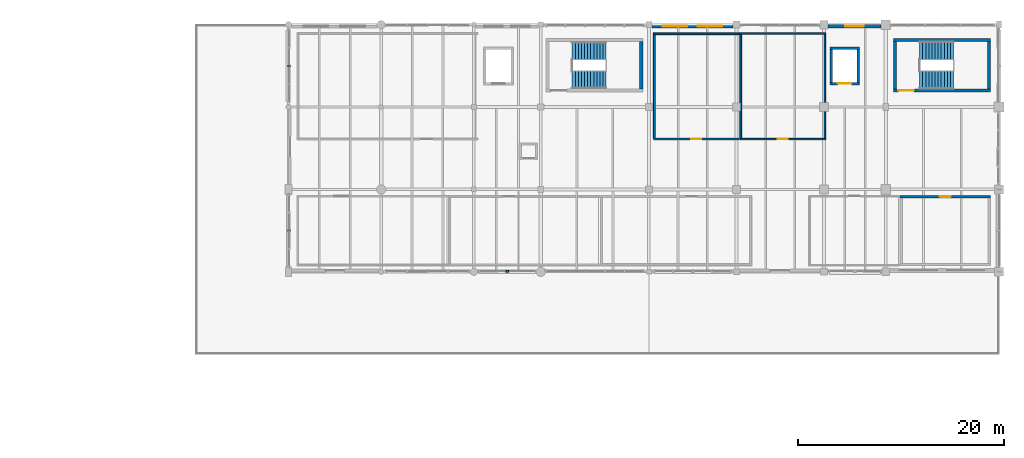
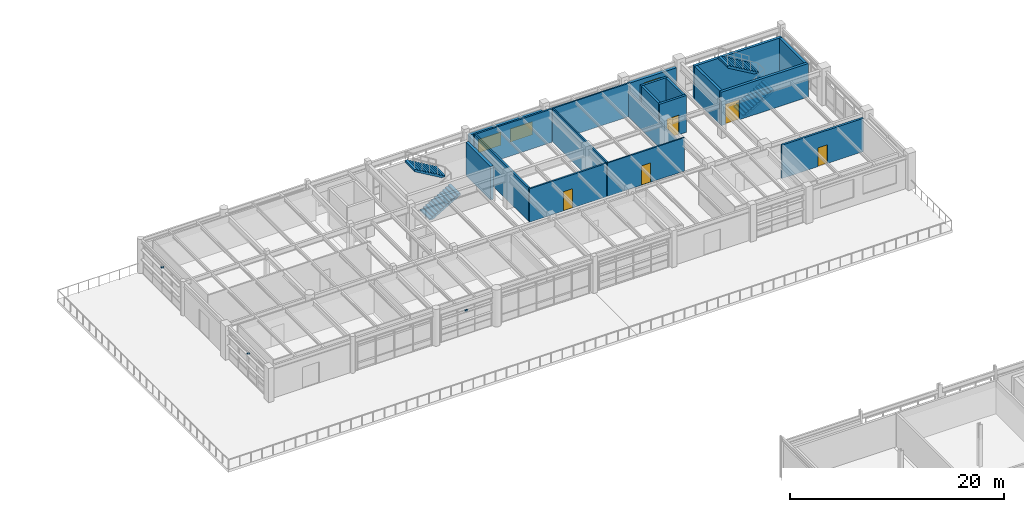
# One storey, part 51 of 56: 19 walls, 5 doors, 4 stair flights, 3 discrete accessories, 3 windows, 8 openings, 2 elements without a shape of their own.
"""IFC4 building model written with IfcOpenShell, lengths in metres."""

from ifc_helpers import new_model, si_unit, direction, frame, frame_2d, origin, origin_2d, place, context, subcontext, project, spatial, polyline, rectangle, outline, extrude, material, layer, layer_set, type_object, element, fill, aggregate, save


model = new_model("IFC4")

# Units and contexts
model_context = context("Model", 3, precision=1e-05, world=origin(), true_north=direction((0.0, 1.0)))
body_context = subcontext(model_context, "Body", "Model", "MODEL_VIEW")
ifc_project = project(units=[si_unit("LENGTHUNIT", "METRE"), si_unit("AREAUNIT", "SQUARE_METRE"), si_unit("VOLUMEUNIT", "CUBIC_METRE"), si_unit("PLANEANGLEUNIT", "RADIAN"), si_unit("MASSUNIT", "GRAM", prefix="KILO"), si_unit("THERMODYNAMICTEMPERATUREUNIT", "KELVIN"), si_unit("POWERUNIT", "WATT")], contexts=[model_context])

# Site, building, storey
site_placement = place(None, origin())
site = spatial("IfcSite", under=ifc_project, at=site_placement, CompositionType="ELEMENT")
building_placement = place(site_placement, origin())
building = spatial("IfcBuilding", under=site, at=building_placement, Name="Tepalcoro Natatorium and Aquatics Centre", CompositionType="ELEMENT")
storey_placement = place(building_placement, frame((0.0, 0.0, 14.800048828125)))
storey = spatial("IfcBuildingStorey", under=building, at=storey_placement, Name="L03", CompositionType="ELEMENT", Elevation=14.800048828125)

# Wall, openings, windows
ifc_material_1 = material(Name="Jalisco Cantera Rosa Volcanic Tuff Ashlar Masonry", Category="masonry")
ifc_layer_1 = layer(ifc_material_1, 0.304931640625)
ifc_layer_set_1 = layer_set([ifc_layer_1], Name="Jalisco Cantera Rosa Volcanic Tuff Ashlar Masonry")
wall_type_1 = type_object("IfcWallType", Name="WL_EXT_TERRACOTTA_300", PredefinedType="SOLIDWALL", material=ifc_layer_set_1)
wall_1_placement = place(storey_placement, frame((142.303955078125, 117.847412109375, 0.0), z_axis=(0.0, 0.0, 1.0), x_axis=(1.0, 0.0, 0.0)))
wall_1 = element("IfcWall", 1, at=wall_1_placement, inside=storey, type_object=wall_type_1, Name="V5 L03 N Volcanic Basalt Envelope Wall", PredefinedType="SOLIDWALL", context=body_context, shape_type="SweptSolid", body=[
    extrude(rectangle(XDim=7.842041015625, YDim=0.304931640625, at=frame_2d((3.9208984375, 0.0))), origin(), (0.0, 0.0, 1.0), 3.376953125),
])
opening_1_placement = place(wall_1_placement, frame((1.013916015625, 0.0, 0.949951171875)))
opening_1 = element("IfcOpeningElement", 2, at=opening_1_placement, cuts=wall_1, Name="Opening W0109A", PredefinedType="OPENING", context=body_context, shape_type="SweptSolid", body=[
    extrude(rectangle(XDim=2.39990234375, YDim=1.5, at=frame_2d((1.199951171875, 0.75))), frame((0.0, 0.16455078125, 0.0), z_axis=(0.0, -1.0, 0.0), x_axis=(1.0, 0.0, 0.0)), (0.0, 0.0, 1.0), 0.328857421875),
])
opening_2_placement = place(wall_1_placement, frame((4.427978515625, 0.0, 0.949951171875)))
opening_2 = element("IfcOpeningElement", 3, at=opening_2_placement, cuts=wall_1, Name="Opening W0109B", PredefinedType="OPENING", context=body_context, shape_type="SweptSolid", body=[
    extrude(rectangle(XDim=2.39990234375, YDim=1.5, at=frame_2d((1.199951171875, 0.75))), frame((0.0, 0.16455078125, 0.0), z_axis=(0.0, -1.0, 0.0), x_axis=(1.0, 0.0, 0.0)), (0.0, 0.0, 1.0), 0.328857421875),
])
ifc_material_2 = material(Name="Solar-Control Bronze Tempered Low-E Double Glazing", Category="glass")
window_type_1 = type_object("IfcWindowType", Name="WN_240x150", PartitioningType="SINGLE_PANEL", PredefinedType="WINDOW", material=ifc_material_2)
window_1_placement = place(opening_1_placement, origin())
window_1 = element("IfcWindow", 4, at=window_1_placement, inside=storey, type_object=window_type_1, Name="Exterior Thermal Window WN_240x150", OverallHeight=1.5, OverallWidth=2.39990234375, PartitioningType="SINGLE_PANEL", PredefinedType="WINDOW", context=body_context, shape_type="SweptSolid", body=[
    extrude(rectangle(XDim=2.39990234375, YDim=1.5, at=frame_2d((1.199951171875, 0.75))), frame((0.0, 0.030029296875, 0.0), z_axis=(0.0, -1.0, 0.0), x_axis=(1.0, 0.0, 0.0)), (0.0, 0.0, 1.0), 0.06005859375),
])
fill(opening_1, window_1)
window_2_placement = place(opening_2_placement, origin())
window_2 = element("IfcWindow", 5, at=window_2_placement, inside=storey, type_object=window_type_1, Name="Exterior Thermal Window WN_240x150", OverallHeight=1.5, OverallWidth=2.39990234375, PartitioningType="SINGLE_PANEL", PredefinedType="WINDOW", context=body_context, shape_type="SweptSolid", body=[
    extrude(rectangle(XDim=2.39990234375, YDim=1.5, at=frame_2d((1.199951171875, 0.75))), frame((0.0, 0.030029296875, 0.0), z_axis=(0.0, -1.0, 0.0), x_axis=(1.0, 0.0, 0.0)), (0.0, 0.0, 1.0), 0.06005859375),
])
fill(opening_2, window_2)

# Wall, opening, window
wall_2_placement = place(storey_placement, frame((159.404052734375, 117.847412109375, 0.0), z_axis=(0.0, 0.0, 1.0), x_axis=(1.0, 0.0, 0.0)))
wall_2 = element("IfcWall", 6, at=wall_2_placement, inside=storey, type_object=wall_type_1, Name="V5 L03 N Volcanic Basalt Envelope Wall", PredefinedType="SOLIDWALL", context=body_context, shape_type="SweptSolid", body=[
    extrude(rectangle(XDim=5.141845703125, YDim=0.304931640625, at=frame_2d((2.57080078125, 0.0))), origin(), (0.0, 0.0, 1.0), 3.25390625),
])
opening_3_placement = place(wall_2_placement, frame((1.6708984375, 0.0, 0.949951171875)))
opening_3 = element("IfcOpeningElement", 7, at=opening_3_placement, cuts=wall_2, Name="Opening W0110", PredefinedType="OPENING", context=body_context, shape_type="SweptSolid", body=[
    extrude(rectangle(XDim=1.800048828125, YDim=1.800048828125, at=frame_2d((0.89990234375, 0.89990234375))), frame((0.0, 0.16455078125, 0.0), z_axis=(0.0, -1.0, 0.0), x_axis=(1.0, 0.0, 0.0)), (0.0, 0.0, 1.0), 0.328857421875),
])
window_type_2 = type_object("IfcWindowType", Name="WN_180x180", PartitioningType="SINGLE_PANEL", PredefinedType="WINDOW", material=ifc_material_2)
window_3_placement = place(opening_3_placement, origin())
window_3 = element("IfcWindow", 8, at=window_3_placement, inside=storey, type_object=window_type_2, Name="Exterior Thermal Window WN_180x180", OverallHeight=1.800048828125, OverallWidth=1.800048828125, PartitioningType="SINGLE_PANEL", PredefinedType="WINDOW", context=body_context, shape_type="SweptSolid", body=[
    extrude(rectangle(XDim=1.800048828125, YDim=1.800048828125, at=frame_2d((0.89990234375, 0.89990234375))), frame((0.0, 0.030029296875, 0.0), z_axis=(0.0, -1.0, 0.0), x_axis=(1.0, 0.0, 0.0)), (0.0, 0.0, 1.0), 0.06005859375),
])
fill(opening_3, window_3)

# Wall, opening, door
ifc_material_3 = material(Name="Moisture-Resistant Acoustic Gypsum Drywall on Cold-Formed Metal Studs")
ifc_layer_2 = layer(ifc_material_3, 0.14990234375)
ifc_layer_set_2 = layer_set([ifc_layer_2], Name="Moisture-Resistant Acoustic Gypsum Drywall on Cold-Formed Metal Studs")
wall_type_2 = type_object("IfcWallType", Name="WL_PART_150_AC", PredefinedType="PARTITIONING", material=ifc_layer_set_2)
wall_3_placement = place(storey_placement, frame((150.840087890625, 106.875, 0.0), z_axis=(0.0, 0.0, 1.0), x_axis=(1.0, 0.0, 0.0)))
wall_3 = element("IfcWall", 9, at=wall_3_placement, inside=storey, type_object=wall_type_2, Name="Calibration & Biomedical Instrument Store Partition S", PredefinedType="PARTITIONING", context=body_context, shape_type="SweptSolid", body=[
    extrude(rectangle(XDim=8.31982421875, YDim=0.14990234375, at=frame_2d((4.159912109375, 0.0))), origin(), (0.0, 0.0, 1.0), 3.804931640625),
])
opening_4_placement = place(wall_3_placement, frame((3.659912109375, 0.0, 0.0)))
opening_4 = element("IfcOpeningElement", 10, at=opening_4_placement, cuts=wall_3, Name="Opening D0189", PredefinedType="OPENING", context=body_context, shape_type="SweptSolid", body=[
    extrude(rectangle(XDim=1.0, YDim=2.199951171875, at=frame_2d((0.5, 1.10009765625))), frame((0.0, 0.0869140625, 0.0), z_axis=(0.0, -1.0, 0.0), x_axis=(1.0, 0.0, 0.0)), (0.0, 0.0, 1.0), 0.173828125),
])
ifc_material_4 = material(Name="Galvanised Steel Insulated Acoustic Fire Door Assembly", Category="steel")
door_type_1 = type_object("IfcDoorType", Name="DR_100x220_FD60", OperationType="NOTDEFINED", PredefinedType="DOOR", material=ifc_material_4)
door_1_placement = place(opening_4_placement, origin())
door_1 = element("IfcDoor", 11, at=door_1_placement, inside=storey, type_object=door_type_1, Name="Calibration & Biomedical Instrument Store Door", OperationType="SINGLE_SWING_RIGHT", OverallHeight=2.199951171875, OverallWidth=1.0, PredefinedType="DOOR", context=body_context, shape_type="SweptSolid", body=[
    extrude(rectangle(XDim=1.0, YDim=2.199951171875, at=frame_2d((0.5, 1.10009765625))), frame((0.0, 0.02490234375, 0.0), z_axis=(0.0, -1.0, 0.0), x_axis=(1.0, 0.0, 0.0)), (0.0, 0.0, 1.0), 0.050048828125),
])
fill(opening_4, door_1)

# Walls
wall_4_placement = place(storey_placement, frame((150.840087890625, 117.125, 0.0), z_axis=(0.0, 0.0, 1.0), x_axis=(1.0, 0.0, 0.0)))
element("IfcWall", 12, at=wall_4_placement, inside=storey, type_object=wall_type_2, Name="Calibration & Biomedical Instrument Store Partition N", PredefinedType="PARTITIONING", context=body_context, shape_type="SweptSolid", body=[
    extrude(rectangle(XDim=8.31982421875, YDim=0.14990234375, at=frame_2d((4.159912109375, 0.0))), origin(), (0.0, 0.0, 1.0), 3.804931640625),
])
wall_5_placement = place(storey_placement, frame((159.0849609375, 106.949951171875, 0.0), z_axis=(0.0, 0.0, 1.0), x_axis=(0.0, 1.0, 0.0)))
element("IfcWall", 13, at=wall_5_placement, inside=storey, type_object=wall_type_2, Name="Calibration & Biomedical Instrument Store Partition E", PredefinedType="PARTITIONING", context=body_context, shape_type="SweptSolid", body=[
    extrude(rectangle(XDim=10.10009765625, YDim=0.14990234375, at=frame_2d((5.050048828125, 0.0))), origin(), (0.0, 0.0, 1.0), 2.870849609375),
])
wall_6_placement = place(storey_placement, frame((150.9150390625, 106.949951171875, 0.0), z_axis=(0.0, 0.0, 1.0), x_axis=(0.0, 1.0, 0.0)))
element("IfcWall", 14, at=wall_6_placement, inside=storey, type_object=wall_type_2, Name="Calibration & Biomedical Instrument Store Partition W", PredefinedType="PARTITIONING", context=body_context, shape_type="SweptSolid", body=[
    extrude(rectangle(XDim=10.10009765625, YDim=0.14990234375, at=frame_2d((5.050048828125, 0.0))), origin(), (0.0, 0.0, 1.0), 3.804931640625),
])

# Wall, opening, door
ifc_layer_3 = layer(ifc_material_3, 0.179931640625)
ifc_layer_set_3 = layer_set([ifc_layer_3], Name="Moisture-Resistant Acoustic Gypsum Drywall on Cold-Formed Metal Studs")
wall_type_3 = type_object("IfcWallType", Name="WL_PART_180_AC", PredefinedType="PARTITIONING", material=ifc_layer_set_3)
wall_7_placement = place(storey_placement, frame((142.43994140625, 106.889892578125, 0.0), z_axis=(0.0, 0.0, 1.0), x_axis=(1.0, 0.0, 0.0)))
wall_7 = element("IfcWall", 15, at=wall_7_placement, inside=storey, type_object=wall_type_3, Name="Research Fellows Workspace & Data Seminar Room Partition S", PredefinedType="PARTITIONING", context=body_context, shape_type="SweptSolid", body=[
    extrude(rectangle(XDim=8.320068359375, YDim=0.179931640625, at=frame_2d((4.16015625, 0.0))), origin(), (0.0, 0.0, 1.0), 3.804931640625),
])
opening_5_placement = place(wall_7_placement, frame((3.659912109375, 0.0, 0.0)))
opening_5 = element("IfcOpeningElement", 16, at=opening_5_placement, cuts=wall_7, Name="Opening D0188", PredefinedType="OPENING", context=body_context, shape_type="SweptSolid", body=[
    extrude(rectangle(XDim=1.0, YDim=2.199951171875, at=frame_2d((0.5, 1.10009765625))), frame((0.0, 0.10205078125, 0.0), z_axis=(0.0, -1.0, 0.0), x_axis=(1.0, 0.0, 0.0)), (0.0, 0.0, 1.0), 0.203857421875),
])
door_2_placement = place(opening_5_placement, origin())
door_2 = element("IfcDoor", 17, at=door_2_placement, inside=storey, type_object=door_type_1, Name="Research Fellows Workspace & Data Seminar Room Door", OperationType="SINGLE_SWING_LEFT", OverallHeight=2.199951171875, OverallWidth=1.0, PredefinedType="DOOR", context=body_context, shape_type="SweptSolid", body=[
    extrude(rectangle(XDim=1.0, YDim=2.199951171875, at=frame_2d((0.5, 1.10009765625))), frame((0.0, 0.02490234375, 0.0), z_axis=(0.0, -1.0, 0.0), x_axis=(1.0, 0.0, 0.0)), (0.0, 0.0, 1.0), 0.050048828125),
])
fill(opening_5, door_2)

# Walls
wall_8_placement = place(storey_placement, frame((142.43994140625, 117.110107421875, 0.0), z_axis=(0.0, 0.0, 1.0), x_axis=(1.0, 0.0, 0.0)))
element("IfcWall", 18, at=wall_8_placement, inside=storey, type_object=wall_type_3, Name="Research Fellows Workspace & Data Seminar Room Partition N", PredefinedType="PARTITIONING", context=body_context, shape_type="SweptSolid", body=[
    extrude(rectangle(XDim=8.320068359375, YDim=0.179931640625, at=frame_2d((4.16015625, 0.0))), origin(), (0.0, 0.0, 1.0), 3.804931640625),
])
wall_9_placement = place(storey_placement, frame((142.530029296875, 106.97998046875, 0.0), z_axis=(0.0, 0.0, 1.0), x_axis=(0.0, 1.0, 0.0)))
element("IfcWall", 19, at=wall_9_placement, inside=storey, type_object=wall_type_3, Name="Research Fellows Workspace & Data Seminar Room Partition W", PredefinedType="PARTITIONING", context=body_context, shape_type="SweptSolid", body=[
    extrude(rectangle(XDim=10.0400390625, YDim=0.179931640625, at=frame_2d((5.02001953125, 0.0))), origin(), (0.0, 0.0, 1.0), 3.804931640625),
])

# Wall, opening, door
ifc_material_5 = material(Name="Ceramic-Tiled Moisture-Resistant Masonry Blockwork", Category="masonry")
ifc_layer_4 = layer(ifc_material_5, 0.219970703125)
ifc_layer_set_4 = layer_set([ifc_layer_4], Name="Ceramic-Tiled Moisture-Resistant Masonry Blockwork")
wall_type_4 = type_object("IfcWallType", Name="WL_PLUMB_220", PredefinedType="PLUMBINGWALL", material=ifc_layer_set_4)
wall_10_placement = place(storey_placement, frame((166.389892578125, 101.2900390625, 0.0), z_axis=(0.0, 0.0, 1.0), x_axis=(1.0, 0.0, 0.0)))
wall_10 = element("IfcWall", 20, at=wall_10_placement, inside=storey, type_object=wall_type_4, Name="L03 Sports Science Male/Female & Accessible WC Partition N", PredefinedType="PLUMBINGWALL", context=body_context, shape_type="SweptSolid", body=[
    extrude(rectangle(XDim=8.77001953125, YDim=0.219970703125, at=frame_2d((4.385009765625, 0.0))), origin(), (0.0, 0.0, 1.0), 3.804931640625),
])
opening_6_placement = place(wall_10_placement, frame((3.860107421875, 0.0, 0.0)))
opening_6 = element("IfcOpeningElement", 21, at=opening_6_placement, cuts=wall_10, Name="Opening D0186", PredefinedType="OPENING", context=body_context, shape_type="SweptSolid", body=[
    extrude(rectangle(XDim=1.050048828125, YDim=2.14990234375, at=frame_2d((0.52490234375, 1.074951171875))), frame((0.0, 0.1220703125, 0.0), z_axis=(0.0, -1.0, 0.0), x_axis=(1.0, 0.0, 0.0)), (0.0, 0.0, 1.0), 0.243896484375),
])
ifc_material_6 = material(Name="Solid-Core Moisture-Sealed Oak Timber Leaf in Aluminium Frame", Category="wood")
door_type_2 = type_object("IfcDoorType", Name="DR_105x215_ACC", OperationType="NOTDEFINED", PredefinedType="DOOR", material=ifc_material_6)
door_3_placement = place(opening_6_placement, frame((1.050048828125, 0.0, 0.0), z_axis=(0.0, 0.0, 1.0), x_axis=(-1.0, 0.0, 0.0)))
door_3 = element("IfcDoor", 22, at=door_3_placement, inside=storey, type_object=door_type_2, Name="L03 Sports Science Male/Female & Accessible WC Door", OperationType="SINGLE_SWING_LEFT", OverallHeight=2.14990234375, OverallWidth=1.050048828125, PredefinedType="DOOR", context=body_context, shape_type="SweptSolid", body=[
    extrude(rectangle(XDim=1.050048828125, YDim=2.14990234375, at=frame_2d((0.52490234375, 1.074951171875))), frame((0.0, 0.02490234375, 0.0), z_axis=(0.0, -1.0, 0.0), x_axis=(1.0, 0.0, 0.0)), (0.0, 0.0, 1.0), 0.050048828125),
])
fill(opening_6, door_3)

ifc_material_7 = material(Name="Concrete C40/50 (fc 40 MPa)", Category="concrete")
ifc_layer_5 = layer(ifc_material_7, 0.239990234375)
ifc_layer_set_5 = layer_set([ifc_layer_5], Name="Concrete C40/50 (fc 40 MPa)")
wall_type_5 = type_object("IfcWallType", Name="WL_SHAFT_240", PredefinedType="SOLIDWALL", material=ifc_layer_set_5)
wall_11_placement = place(storey_placement, frame((159.56005859375, 112.280029296875, 0.0), z_axis=(0.0, 0.0, 1.0), x_axis=(1.0, 0.0, 0.0)))
wall_11 = element("IfcWall", 23, at=wall_11_placement, inside=storey, type_object=wall_type_5, Name="LF06 Lift Shaft Wall S L03", PredefinedType="SOLIDWALL", context=body_context, shape_type="SweptSolid", body=[
    extrude(rectangle(XDim=2.8798828125, YDim=0.239990234375, at=frame_2d((1.43994140625, 0.0))), origin(), (0.0, 0.0, 1.0), 4.199951171875),
])
opening_7_placement = place(wall_11_placement, frame((0.7900390625, 0.0, 0.0)))
opening_7 = element("IfcOpeningElement", 24, at=opening_7_placement, cuts=wall_11, Name="Opening LD-LF06-L03", PredefinedType="OPENING", context=body_context, shape_type="SweptSolid", body=[
    extrude(rectangle(XDim=1.300048828125, YDim=2.25, at=frame_2d((0.64990234375, 1.125))), frame((0.0, 0.1318359375, 0.0), z_axis=(0.0, -1.0, 0.0), x_axis=(1.0, 0.0, 0.0)), (0.0, 0.0, 1.0), 0.263916015625),
])
ifc_material_8 = material(Name="Marine-Grade Brushed Stainless Steel AISI 316L", Category="steel")
door_type_3 = type_object("IfcDoorType", Name="DR_130x225_LIFT", OperationType="NOTDEFINED", PredefinedType="USERDEFINED", material=ifc_material_8)
door_4_placement = place(opening_7_placement, origin())
door_4 = element("IfcDoor", 25, at=door_4_placement, inside=storey, type_object=door_type_3, Name="LF06 Lift Landing Sliding Door (L03)", ObjectType="SLIDING LANDING DOOR", OperationType="SLIDING_TO_RIGHT", OverallHeight=2.25, OverallWidth=1.300048828125, PredefinedType="USERDEFINED", context=body_context, shape_type="SweptSolid", body=[
    extrude(rectangle(XDim=1.300048828125, YDim=2.25, at=frame_2d((0.64990234375, 1.125))), frame((0.0, 0.02490234375, 0.0), z_axis=(0.0, -1.0, 0.0), x_axis=(1.0, 0.0, 0.0)), (0.0, 0.0, 1.0), 0.050048828125),
])
fill(opening_7, door_4)

# Walls
wall_12_placement = place(storey_placement, frame((159.56005859375, 115.719970703125, 0.0), z_axis=(0.0, 0.0, 1.0), x_axis=(1.0, 0.0, 0.0)))
element("IfcWall", 26, at=wall_12_placement, inside=storey, type_object=wall_type_5, Name="LF06 Lift Shaft Wall N L03", PredefinedType="SOLIDWALL", context=body_context, shape_type="SweptSolid", body=[
    extrude(rectangle(XDim=2.8798828125, YDim=0.239990234375, at=frame_2d((1.43994140625, 0.0))), origin(), (0.0, 0.0, 1.0), 4.199951171875),
])
for number, where, z_axis, x_axis, name in (
    (27, (159.679931640625, 112.39990234375, 0.0), (0.0, 0.0, 1.0), (0.0, 1.0, 0.0), "LF06 Lift Shaft Wall W L03"),
    (28, (162.320068359375, 112.39990234375, 0.0), (0.0, 0.0, 1.0), (0.0, 1.0, 0.0), "LF06 Lift Shaft Wall E L03"),
):
    element("IfcWall", number, at=place(storey_placement, frame(where, z_axis=z_axis, x_axis=x_axis)), inside=storey, type_object=wall_type_5, Name=name, PredefinedType="SOLIDWALL", context=body_context, shape_type="SweptSolid", body=[
        extrude(rectangle(XDim=3.2001953125, YDim=0.239990234375, at=frame_2d((1.60009765625, 0.0))), origin(), (0.0, 0.0, 1.0), 4.199951171875),
    ])

# Wall, opening, door
ifc_layer_6 = layer(ifc_material_7, 0.280029296875)
ifc_layer_set_6 = layer_set([ifc_layer_6], Name="Concrete C40/50 (fc 40 MPa)")
wall_type_6 = type_object("IfcWallType", Name="WL_SHEAR_280", PredefinedType="SHEAR", material=ifc_layer_set_6)
wall_13_placement = place(storey_placement, frame((165.75, 111.590087890625, 0.0), z_axis=(0.0, 0.0, 1.0), x_axis=(1.0, 0.0, 0.0)))
wall_13 = element("IfcWall", 29, at=wall_13_placement, inside=storey, type_object=wall_type_6, Name="ST10 Core Shear Wall S L03", PredefinedType="SHEAR", context=body_context, shape_type="SweptSolid", body=[
    extrude(rectangle(XDim=9.39990234375, YDim=0.280029296875, at=frame_2d((4.699951171875, 0.0))), origin(), (0.0, 0.0, 1.0), 3.820068359375),
])
opening_8_placement = place(wall_13_placement, frame((0.47998046875, 0.0, 0.0)))
opening_8 = element("IfcOpeningElement", 30, at=opening_8_placement, cuts=wall_13, Name="Opening D0041", PredefinedType="OPENING", context=body_context, shape_type="SweptSolid", body=[
    extrude(rectangle(XDim=1.5, YDim=2.300048828125, at=frame_2d((0.75, 1.14990234375))), frame((0.0, 0.15185546875, 0.0), z_axis=(0.0, -1.0, 0.0), x_axis=(1.0, 0.0, 0.0)), (0.0, 0.0, 1.0), 0.303955078125),
])
door_type_4 = type_object("IfcDoorType", Name="DR_150x230_FD60", OperationType="NOTDEFINED", PredefinedType="DOOR", material=ifc_material_4)
door_5_placement = place(opening_8_placement, origin())
door_5 = element("IfcDoor", 31, at=door_5_placement, inside=storey, type_object=door_type_4, Name="ST10 Fire Stair Door (L03)", OperationType="DOUBLE_DOOR_SINGLE_SWING", OverallHeight=2.300048828125, OverallWidth=1.5, PredefinedType="DOOR", context=body_context, shape_type="SweptSolid", body=[
    extrude(rectangle(XDim=1.5, YDim=2.300048828125, at=frame_2d((0.75, 1.14990234375))), frame((0.0, 0.02490234375, 0.0), z_axis=(0.0, -1.0, 0.0), x_axis=(1.0, 0.0, 0.0)), (0.0, 0.0, 1.0), 0.050048828125),
])
fill(opening_8, door_5)

# Walls
wall_14_placement = place(storey_placement, frame((165.75, 116.510009765625, 0.0), z_axis=(0.0, 0.0, 1.0), x_axis=(1.0, 0.0, 0.0)))
element("IfcWall", 32, at=wall_14_placement, inside=storey, type_object=wall_type_6, Name="ST10 Core Shear Wall N L03", PredefinedType="SHEAR", context=body_context, shape_type="SweptSolid", body=[
    extrude(rectangle(XDim=9.39990234375, YDim=0.280029296875, at=frame_2d((4.699951171875, 0.0))), origin(), (0.0, 0.0, 1.0), 3.820068359375),
])
for number, where, z_axis, x_axis, name in (
    (33, (165.889892578125, 111.72998046875, 0.0), (0.0, 0.0, 1.0), (0.0, 1.0, 0.0), "ST10 Core Shear Wall W L03"),
    (34, (175.010009765625, 111.72998046875, 0.0), (0.0, 0.0, 1.0), (0.0, 1.0, 0.0), "ST10 Core Shear Wall E L03"),
):
    element("IfcWall", number, at=place(storey_placement, frame(where, z_axis=z_axis, x_axis=x_axis)), inside=storey, type_object=wall_type_6, Name=name, PredefinedType="SHEAR", context=body_context, shape_type="SweptSolid", body=[
        extrude(rectangle(XDim=4.64013671875, YDim=0.280029296875, at=frame_2d((2.320068359375, 0.0))), origin(), (0.0, 0.0, 1.0), 3.820068359375),
    ])
ifc_layer_7 = layer(ifc_material_7, 0.300048828125)
ifc_layer_set_7 = layer_set([ifc_layer_7], Name="Concrete C40/50 (fc 40 MPa)")
wall_type_7 = type_object("IfcWallType", Name="WL_SHEAR_300", PredefinedType="SHEAR", material=ifc_layer_set_7)
wall_15_placement = place(storey_placement, frame((141.25, 111.75, 0.0), z_axis=(0.0, 0.0, 1.0), x_axis=(0.0, 1.0, 0.0)))
element("IfcWall", 35, at=wall_15_placement, inside=storey, type_object=wall_type_7, Name="ST09 Core Shear Wall E L03", PredefinedType="SHEAR", context=body_context, shape_type="SweptSolid", body=[
    extrude(rectangle(XDim=4.60009765625, YDim=0.300048828125, at=frame_2d((2.300048828125, 0.0))), origin(), (0.0, 0.0, 1.0), 3.820068359375),
])

# Stair, stair flights
ifc_material_9 = material(Name="Concrete C35/45 (fc 35 MPa)", Category="concrete")
stair_type_1 = type_object("IfcStairType", Name="ST_RC_1800_L01", PredefinedType="HALF_TURN_STAIR", material=ifc_material_9)
stair_1_placement = place(storey_placement, origin())
stair_1 = element("IfcStair", 36, at=stair_1_placement, inside=storey, type_object=stair_type_1, Name="Wellness & Broadcast East Fire Stair (L03 to L04)", PredefinedType="HALF_TURN_STAIR")
ifc_layer_8 = layer(ifc_material_9, 0.199951171875)
ifc_layer_set_8 = layer_set([ifc_layer_8], Name="Concrete C35/45 (fc 35 MPa)")
stair_flight_type_1 = type_object("IfcStairFlightType", Name="SF_RC_1800_B1", PredefinedType="STRAIGHT", material=ifc_layer_set_8)
stair_flight_1_placement = place(storey_placement, frame((168.280029296875, 112.6201171875, 0.0), z_axis=(0.0, 0.0, 1.0), x_axis=(1.0, 0.0, 0.0)))
stair_flight_1 = element("IfcStairFlight", 37, at=stair_flight_1_placement, type_object=stair_flight_type_1, Name="Wellness & Broadcast East Fire Stair (L03 to L04) Flight 1", NumberOfRisers=12, NumberOfTreads=11, PredefinedType="STRAIGHT", RiserHeight=0.175, TreadLength=0.3, context=body_context, shape_type="SweptSolid", body=[
    extrude(outline(polyline([(0.0, 0.0), (0.0, 0.175048828125), (0.300048828125, 0.175048828125), (0.300048828125, 0.35009765625), (0.60009765625, 0.35009765625), (0.60009765625, 0.52490234375), (0.89990234375, 0.52490234375), (0.89990234375, 0.699951171875), (1.199951171875, 0.699951171875), (1.199951171875, 0.875), (1.5, 0.875), (1.5, 1.050048828125), (1.800048828125, 1.050048828125), (1.800048828125, 1.22509765625), (2.10009765625, 1.22509765625), (2.10009765625, 1.39990234375), (2.39990234375, 1.39990234375), (2.39990234375, 1.574951171875), (2.699951171875, 1.574951171875), (2.699951171875, 1.75), (3.0, 1.75), (3.0, 1.925048828125), (3.300048828125, 1.925048828125), (3.300048828125, 2.10009765625), (3.300048828125, 1.693603515625), (0.396728515625, 0.0), (0.0, 0.0)])), frame((0.0, 0.89990234375, 0.0), z_axis=(0.0, -1.0, 0.0), x_axis=(1.0, 0.0, 0.0)), (0.0, 0.0, 1.0), 1.800048828125),
])
stair_flight_2_placement = place(storey_placement, frame((171.580078125, 115.47998046875, 2.099853515625), z_axis=(0.0, 0.0, 1.0), x_axis=(-1.0, 0.0, 0.0)))
stair_flight_2 = element("IfcStairFlight", 38, at=stair_flight_2_placement, type_object=stair_flight_type_1, Name="Wellness & Broadcast East Fire Stair (L03 to L04) Flight 2", NumberOfRisers=12, NumberOfTreads=11, PredefinedType="STRAIGHT", RiserHeight=0.175, TreadLength=0.3, context=body_context, shape_type="SweptSolid", body=[
    extrude(outline(polyline([(0.0, 0.0), (0.0, 0.175048828125), (0.300048828125, 0.175048828125), (0.300048828125, 0.35009765625), (0.60009765625, 0.35009765625), (0.60009765625, 0.52490234375), (0.89990234375, 0.52490234375), (0.89990234375, 0.699951171875), (1.199951171875, 0.699951171875), (1.199951171875, 0.875), (1.5, 0.875), (1.5, 1.050048828125), (1.800048828125, 1.050048828125), (1.800048828125, 1.22509765625), (2.10009765625, 1.22509765625), (2.10009765625, 1.39990234375), (2.39990234375, 1.39990234375), (2.39990234375, 1.574951171875), (2.699951171875, 1.574951171875), (2.699951171875, 1.75), (3.0, 1.75), (3.0, 1.925048828125), (3.300048828125, 1.925048828125), (3.300048828125, 2.10009765625), (3.300048828125, 1.693603515625), (0.396728515625, 0.0), (0.0, 0.0)])), frame((0.0, 0.89990234375, 0.0), z_axis=(0.0, -1.0, 0.0), x_axis=(1.0, 0.0, 0.0)), (0.0, 0.0, 1.0), 1.800048828125),
])
aggregate(stair_1, [stair_flight_1, stair_flight_2])

stair_type_2 = type_object("IfcStairType", Name="ST_RC_1800_L00", PredefinedType="HALF_TURN_STAIR", material=ifc_material_9)
stair_2_placement = place(storey_placement, origin())
stair_2 = element("IfcStair", 39, at=stair_2_placement, inside=storey, type_object=stair_type_2, Name="Wellness & Broadcast West Fire Stair (L03 to L04)", PredefinedType="HALF_TURN_STAIR")
ifc_layer_9 = layer(ifc_material_9, 0.18994140625)
ifc_layer_set_9 = layer_set([ifc_layer_9], Name="Concrete C35/45 (fc 35 MPa)")
stair_flight_type_2 = type_object("IfcStairFlightType", Name="SF_RC_1800_L02", PredefinedType="STRAIGHT", material=ifc_layer_set_9)
stair_flight_3_placement = place(storey_placement, frame((134.550048828125, 112.639892578125, 0.0), z_axis=(0.0, 0.0, 1.0), x_axis=(1.0, 0.0, 0.0)))
stair_flight_3 = element("IfcStairFlight", 40, at=stair_flight_3_placement, type_object=stair_flight_type_2, Name="Wellness & Broadcast West Fire Stair (L03 to L04) Flight 1", NumberOfRisers=12, NumberOfTreads=11, PredefinedType="STRAIGHT", RiserHeight=0.175, TreadLength=0.3, context=body_context, shape_type="SweptSolid", body=[
    extrude(outline(polyline([(0.0, 0.0), (0.0, 0.175048828125), (0.300048828125, 0.175048828125), (0.300048828125, 0.35009765625), (0.60009765625, 0.35009765625), (0.60009765625, 0.52490234375), (0.89990234375, 0.52490234375), (0.89990234375, 0.699951171875), (1.199951171875, 0.699951171875), (1.199951171875, 0.875), (1.5, 0.875), (1.5, 1.050048828125), (1.800048828125, 1.050048828125), (1.800048828125, 1.22509765625), (2.10009765625, 1.22509765625), (2.10009765625, 1.39990234375), (2.39990234375, 1.39990234375), (2.39990234375, 1.574951171875), (2.699951171875, 1.574951171875), (2.699951171875, 1.75), (3.0, 1.75), (3.0, 1.925048828125), (3.300048828125, 1.925048828125), (3.300048828125, 2.10009765625), (3.300048828125, 1.705078125), (0.376953125, 0.0), (0.0, 0.0)])), frame((0.0, 0.89990234375, 0.0), z_axis=(0.0, -1.0, 0.0), x_axis=(1.0, 0.0, 0.0)), (0.0, 0.0, 1.0), 1.800048828125),
])
stair_flight_4_placement = place(storey_placement, frame((137.85009765625, 115.4599609375, 2.099853515625), z_axis=(0.0, 0.0, 1.0), x_axis=(-1.0, 0.0, 0.0)))
stair_flight_4 = element("IfcStairFlight", 41, at=stair_flight_4_placement, type_object=stair_flight_type_2, Name="Wellness & Broadcast West Fire Stair (L03 to L04) Flight 2", NumberOfRisers=12, NumberOfTreads=11, PredefinedType="STRAIGHT", RiserHeight=0.175, TreadLength=0.3, context=body_context, shape_type="SweptSolid", body=[
    extrude(outline(polyline([(0.0, 0.0), (0.0, 0.175048828125), (0.300048828125, 0.175048828125), (0.300048828125, 0.35009765625), (0.60009765625, 0.35009765625), (0.60009765625, 0.52490234375), (0.89990234375, 0.52490234375), (0.89990234375, 0.699951171875), (1.199951171875, 0.699951171875), (1.199951171875, 0.875), (1.5, 0.875), (1.5, 1.050048828125), (1.800048828125, 1.050048828125), (1.800048828125, 1.22509765625), (2.10009765625, 1.22509765625), (2.10009765625, 1.39990234375), (2.39990234375, 1.39990234375), (2.39990234375, 1.574951171875), (2.699951171875, 1.574951171875), (2.699951171875, 1.75), (3.0, 1.75), (3.0, 1.925048828125), (3.300048828125, 1.925048828125), (3.300048828125, 2.10009765625), (3.300048828125, 1.705078125), (0.376953125, 0.0), (0.0, 0.0)])), frame((0.0, 0.89990234375, 0.0), z_axis=(0.0, -1.0, 0.0), x_axis=(1.0, 0.0, 0.0)), (0.0, 0.0, 1.0), 1.800048828125),
])
aggregate(stair_2, [stair_flight_3, stair_flight_4])

# Discrete accessories
ifc_material_10 = material(Name="Plate Steel ASTM A572 Grade 50 (Fy 345 MPa)", Category="steel")
discrete_accessory_type_1 = type_object("IfcDiscreteAccessoryType", Name="BRK_FACADE_GALV", PredefinedType="BRACKET", material=ifc_material_10)
discrete_accessory_placement = place(storey_placement, frame((107.05615234375, 114.0, 2.80712890625), z_axis=(0.0, 0.0, 1.0), x_axis=(1.0, 0.0, 0.0)))
element("IfcDiscreteAccessory", 42, at=discrete_accessory_placement, inside=storey, type_object=discrete_accessory_type_1, Name="Solar Shading Outrigger Bracket BRK_FACADE_GALV", PredefinedType="BRACKET", context=body_context, shape_type="SweptSolid", body=[
    extrude(rectangle(XDim=0.280029296875, YDim=0.159912109375, at=origin_2d()), origin(), (0.0, 0.0, 1.0), 0.159912109375),
])
discrete_accessory_type_2 = type_object("IfcDiscreteAccessoryType", Name="BRK_SEISMIC_SS", PredefinedType="BRACKET", material=ifc_material_8)
for number, where, z_axis, x_axis, name in (
    (43, (128.25, 94.05615234375, 2.58935546875), (0.0, 0.0, 1.0), (1.0, 0.0, 0.0), "Solar Shading Outrigger Bracket BRK_SEISMIC_SS"),
    (44, (107.05615234375, 98.0, 2.70361328125), (0.0, 0.0, 1.0), (1.0, 0.0, 0.0), "Solar Shading Outrigger Bracket BRK_SEISMIC_SS"),
):
    element("IfcDiscreteAccessory", number, at=place(storey_placement, frame(where, z_axis=z_axis, x_axis=x_axis)), inside=storey, type_object=discrete_accessory_type_2, Name=name, PredefinedType="BRACKET", context=body_context, shape_type="SweptSolid", body=[
        extrude(rectangle(XDim=0.280029296875, YDim=0.159912109375, at=origin_2d()), origin(), (0.0, 0.0, 1.0), 0.159912109375),
    ])

save(model, "model.ifc")
